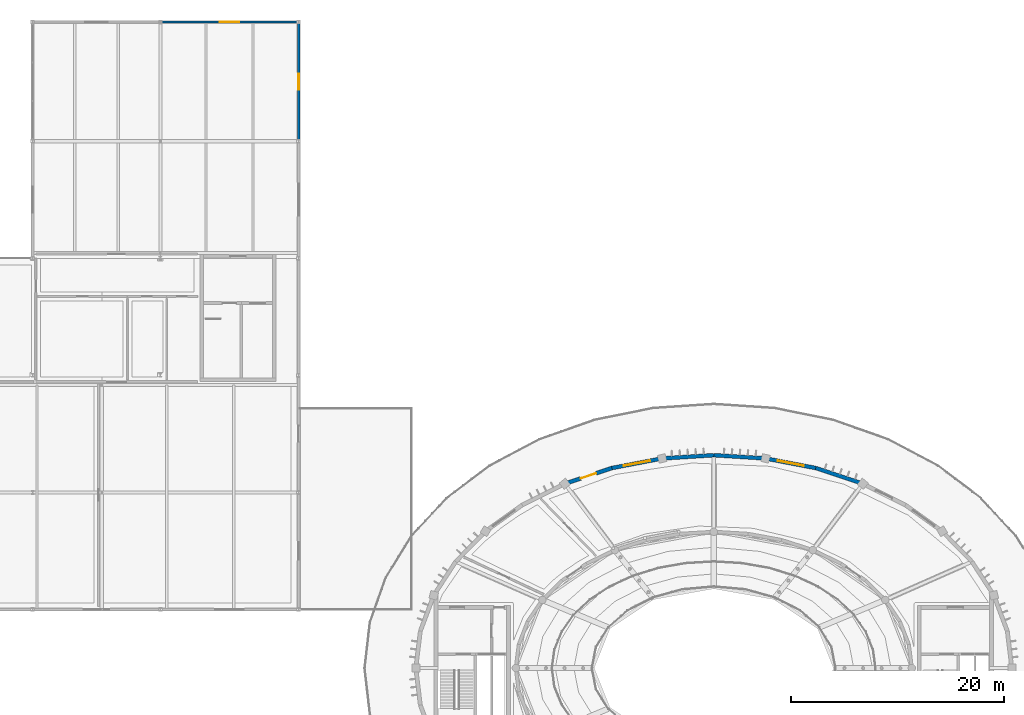
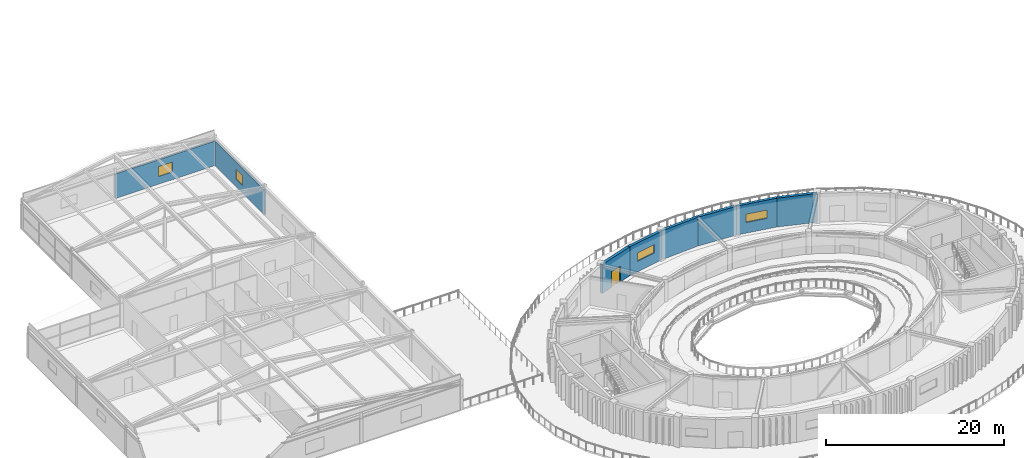
# One storey, part 48 of 63: 8 walls, 4 windows, 1 door, 5 openings.
"""IFC4 building model written with IfcOpenShell, lengths in metres."""

from ifc_helpers import new_model, si_unit, direction, frame, frame_2d, origin, place, context, subcontext, project, spatial, rectangle, extrude, material, layer, layer_set, type_object, element, fill, save


model = new_model("IFC4")

# Units and contexts
model_context = context("Model", 3, precision=1e-05, world=origin(), true_north=direction((0.0, 1.0)))
body_context = subcontext(model_context, "Body", "Model", "MODEL_VIEW")
ifc_project = project(units=[si_unit("LENGTHUNIT", "METRE"), si_unit("AREAUNIT", "SQUARE_METRE"), si_unit("VOLUMEUNIT", "CUBIC_METRE"), si_unit("PLANEANGLEUNIT", "RADIAN"), si_unit("MASSUNIT", "GRAM", prefix="KILO")], contexts=[model_context])

# Site, building, storey
site_placement = place(None, origin())
site = spatial("IfcSite", under=ifc_project, at=site_placement, CompositionType="ELEMENT")
building_placement = place(site_placement, origin())
building = spatial("IfcBuilding", under=site, at=building_placement, Name="Tarnveldt Headland Concert Hall", CompositionType="ELEMENT")
storey_placement = place(building_placement, frame((0.0, 0.0, 14.39990234375)))
storey = spatial("IfcBuildingStorey", under=building, at=storey_placement, Name="L03", CompositionType="ELEMENT", Elevation=14.39990234375)

# Wall
ifc_material_1 = material(Name="Concrete C40/50", Category="concrete")
ifc_layer_1 = layer(ifc_material_1, 0.360107421875, Name="Concrete C40/50", Category="concrete")
ifc_layer_set_1 = layer_set([ifc_layer_1], Name="Concrete C40/50")
wall_type_1 = type_object("IfcWallType", Name="WL-CR360", PredefinedType="SHEAR", material=ifc_layer_set_1)
wall_1_placement = place(storey_placement, frame((97.5, 71.820556640625, 0.0), z_axis=(0.0, 0.0, 1.0), x_axis=(-0.948751350732, 0.316023534699, 0.0)))
element("IfcWall", 1, at=wall_1_placement, inside=storey, type_object=wall_type_1, Name="Symphony drum shear wall L03-7", PredefinedType="SHEAR", context=body_context, shape_type="SweptSolid", body=[
    extrude(rectangle(XDim=4.662353515625, YDim=0.360107421875, at=frame_2d((2.3310546875, 0.0))), origin(), (0.0, 0.0, 1.0), 3.960205078125),
])

# Wall, opening, window
wall_2_placement = place(storey_placement, frame((93.07666015625, 73.2939453125, 0.0), z_axis=(0.0, 0.0, 1.0), x_axis=(-0.982172578083, 0.187981453503, 0.0)))
wall_2 = element("IfcWall", 2, at=wall_2_placement, inside=storey, type_object=wall_type_1, Name="Symphony drum shear wall L03-8", PredefinedType="SHEAR", context=body_context, shape_type="SweptSolid", body=[
    extrude(rectangle(XDim=4.80029296875, YDim=0.360107421875, at=frame_2d((2.400146484375, 0.0))), origin(), (0.0, 0.0, 1.0), 3.960205078125),
])
opening_1_placement = place(wall_2_placement, frame((1.14990234375, 0.0, 1.449951171875)))
opening_1 = element("IfcOpeningElement", 3, at=opening_1_placement, cuts=wall_2, Name="Opening W-D002", PredefinedType="OPENING", context=body_context, shape_type="SweptSolid", body=[
    extrude(rectangle(XDim=2.5, YDim=1.14990234375, at=frame_2d((1.25, 0.574951171875))), frame((0.0, 0.18994140625, 0.0), z_axis=(0.0, -1.0, 0.0), x_axis=(1.0, 0.0, 0.0)), (0.0, 0.0, 1.0), 0.380126953125),
])
ifc_material_2 = material(Name="Acoustic laminated low-iron double glazing", Category="glass")
window_type_1 = type_object("IfcWindowType", Name="WN-21", PartitioningType="SINGLE_PANEL", PredefinedType="WINDOW", material=ifc_material_2)
window_1_placement = place(opening_1_placement, origin())
window_1 = element("IfcWindow", 4, at=window_1_placement, inside=storey, type_object=window_type_1, Name="Drum acoustic gallery window L03-8", OverallHeight=1.14990234375, OverallWidth=2.5, PartitioningType="SINGLE_PANEL", PredefinedType="WINDOW", context=body_context, shape_type="SweptSolid", body=[
    extrude(rectangle(XDim=2.5, YDim=1.14990234375, at=frame_2d((1.25, 0.574951171875))), frame((0.0, 0.030029296875, 0.0), z_axis=(0.0, -1.0, 0.0), x_axis=(1.0, 0.0, 0.0)), (0.0, 0.0, 1.0), 0.06005859375),
])
fill(opening_1, window_1)

# Walls
for number, where, z_axis, x_axis, name in (
    (5, (88.362060546875, 74.1962890625, 0.0), (0.0, 0.0, 1.0), (-0.998054722924, 0.06234396562, 0.0), "Symphony drum shear wall L03-9"),
    (6, (83.5, 74.5, 0.0), (0.0, 0.0, 1.0), (-0.998054722924, -0.06234396562, 0.0), "Symphony drum shear wall L03-10"),
):
    element("IfcWall", number, at=place(storey_placement, frame(where, z_axis=z_axis, x_axis=x_axis)), inside=storey, type_object=wall_type_1, Name=name, PredefinedType="SHEAR", context=body_context, shape_type="SweptSolid", body=[
        extrude(rectangle(XDim=4.87158203125, YDim=0.360107421875, at=frame_2d((2.435791015625, 0.0))), origin(), (0.0, 0.0, 1.0), 3.960205078125),
    ])

# Wall, opening, window
wall_3_placement = place(storey_placement, frame((78.637939453125, 74.1962890625, 0.0), z_axis=(0.0, 0.0, 1.0), x_axis=(-0.982172578083, -0.187981453503, 0.0)))
wall_3 = element("IfcWall", 7, at=wall_3_placement, inside=storey, type_object=wall_type_1, Name="Symphony drum shear wall L03-11", PredefinedType="SHEAR", context=body_context, shape_type="SweptSolid", body=[
    extrude(rectangle(XDim=4.80029296875, YDim=0.360107421875, at=frame_2d((2.400146484375, 0.0))), origin(), (0.0, 0.0, 1.0), 3.960205078125),
])
opening_2_placement = place(wall_3_placement, frame((1.14990234375, 0.0, 1.449951171875)))
opening_2 = element("IfcOpeningElement", 8, at=opening_2_placement, cuts=wall_3, Name="Opening W-D003", PredefinedType="OPENING", context=body_context, shape_type="SweptSolid", body=[
    extrude(rectangle(XDim=2.5, YDim=1.14990234375, at=frame_2d((1.25, 0.574951171875))), frame((0.0, 0.18994140625, 0.0), z_axis=(0.0, -1.0, 0.0), x_axis=(1.0, 0.0, 0.0)), (0.0, 0.0, 1.0), 0.380126953125),
])
window_2_placement = place(opening_2_placement, origin())
window_2 = element("IfcWindow", 9, at=window_2_placement, inside=storey, type_object=window_type_1, Name="Drum acoustic gallery window L03-11", OverallHeight=1.14990234375, OverallWidth=2.5, PartitioningType="SINGLE_PANEL", PredefinedType="WINDOW", context=body_context, shape_type="SweptSolid", body=[
    extrude(rectangle(XDim=2.5, YDim=1.14990234375, at=frame_2d((1.25, 0.574951171875))), frame((0.0, 0.030029296875, 0.0), z_axis=(0.0, -1.0, 0.0), x_axis=(1.0, 0.0, 0.0)), (0.0, 0.0, 1.0), 0.06005859375),
])
fill(opening_2, window_2)

# Wall, opening, door
wall_4_placement = place(storey_placement, frame((73.92333984375, 73.2939453125, 0.0), z_axis=(0.0, 0.0, 1.0), x_axis=(-0.948751350732, -0.316023534699, 0.0)))
wall_4 = element("IfcWall", 10, at=wall_4_placement, inside=storey, type_object=wall_type_1, Name="Symphony drum shear wall L03-12", PredefinedType="SHEAR", context=body_context, shape_type="SweptSolid", body=[
    extrude(rectangle(XDim=4.662353515625, YDim=0.360107421875, at=frame_2d((2.3310546875, 0.0))), origin(), (0.0, 0.0, 1.0), 3.960205078125),
])
opening_3_placement = place(wall_4_placement, frame((1.581298828125, 0.0, 0.0)))
opening_3 = element("IfcOpeningElement", 11, at=opening_3_placement, cuts=wall_4, Name="Opening TD-L03-2", PredefinedType="OPENING", context=body_context, shape_type="SweptSolid", body=[
    extrude(rectangle(XDim=1.5, YDim=2.179931640625, at=frame_2d((0.75, 1.08984375))), frame((0.0, 0.18994140625, 0.0), z_axis=(0.0, -1.0, 0.0), x_axis=(1.0, 0.0, 0.0)), (0.0, 0.0, 1.0), 0.380126953125),
])
ifc_material_3 = material(Name="Marine-anodised aluminium EN AW-6063-T6", Category="aluminium")
door_type = type_object("IfcDoorType", Name="DR-TR150", OperationType="NOTDEFINED", PredefinedType="DOOR", material=ifc_material_3)
door_placement = place(opening_3_placement, origin())
door = element("IfcDoor", 12, at=door_placement, inside=storey, type_object=door_type, Name="Drum terrace access door 2", OperationType="SINGLE_SWING_RIGHT", OverallHeight=2.179931640625, OverallWidth=1.5, PredefinedType="DOOR", context=body_context, shape_type="SweptSolid", body=[
    extrude(rectangle(XDim=1.5, YDim=2.179931640625, at=frame_2d((0.75, 1.08984375))), frame((0.0, 0.02490234375, 0.0), z_axis=(0.0, -1.0, 0.0), x_axis=(1.0, 0.0, 0.0)), (0.0, 0.0, 1.0), 0.050048828125),
])
fill(opening_3, door)

# Wall, opening, window
ifc_material_4 = material(Name="Coral-toned precast concrete C40/50", Category="concrete")
ifc_layer_2 = layer(ifc_material_4, 0.219970703125, Name="Coral-toned precast concrete C40/50", Category="concrete")
ifc_layer_set_2 = layer_set([ifc_layer_2], Name="Coral-toned precast concrete C40/50")
wall_type_2 = type_object("IfcWallType", Name="WL-EX220", PredefinedType="SOLIDWALL", material=ifc_layer_set_2)
wall_5_placement = place(storey_placement, frame((44.5, 115.179931640625, 0.0), z_axis=(0.0, 0.0, 1.0), x_axis=(0.0, -1.0, 0.0)))
wall_5 = element("IfcWall", 13, at=wall_5_placement, inside=storey, type_object=wall_type_2, Name="External precast wall L03-319", PredefinedType="SOLIDWALL", context=body_context, shape_type="SweptSolid", body=[
    extrude(rectangle(XDim=11.159912109375, YDim=0.219970703125, at=frame_2d((5.580078125, 0.0))), origin(), (0.0, 0.0, 1.0), 3.35009765625),
])
opening_4_placement = place(wall_5_placement, frame((4.830078125, 0.0, 1.050048828125)))
opening_4 = element("IfcOpeningElement", 14, at=opening_4_placement, cuts=wall_5, Name="Opening W-R150", PredefinedType="OPENING", context=body_context, shape_type="SweptSolid", body=[
    extrude(rectangle(XDim=1.5, YDim=1.35009765625, at=frame_2d((0.75, 0.675048828125))), frame((0.0, 0.119873046875, 0.0), z_axis=(0.0, -1.0, 0.0), x_axis=(1.0, 0.0, 0.0)), (0.0, 0.0, 1.0), 0.239990234375),
])
window_type_2 = type_object("IfcWindowType", Name="WN-17", PartitioningType="SINGLE_PANEL", PredefinedType="WINDOW", material=ifc_material_2)
window_3_placement = place(opening_4_placement, origin())
window_3 = element("IfcWindow", 15, at=window_3_placement, inside=storey, type_object=window_type_2, Name="Rehearsal wing acoustic window L03-E5", OverallHeight=1.35009765625, OverallWidth=1.5, PartitioningType="SINGLE_PANEL", PredefinedType="WINDOW", context=body_context, shape_type="SweptSolid", body=[
    extrude(rectangle(XDim=1.5, YDim=1.35009765625, at=frame_2d((0.75, 0.675048828125))), frame((0.0, 0.030029296875, 0.0), z_axis=(0.0, -1.0, 0.0), x_axis=(1.0, 0.0, 0.0)), (0.0, 0.0, 1.0), 0.06005859375),
])
fill(opening_4, window_3)

wall_6_placement = place(storey_placement, frame((31.52001953125, 115.199951171875, 0.0), z_axis=(0.0, 0.0, 1.0), x_axis=(1.0, 0.0, 0.0)))
wall_6 = element("IfcWall", 16, at=wall_6_placement, inside=storey, type_object=wall_type_2, Name="External precast wall L03-320", PredefinedType="SOLIDWALL", context=body_context, shape_type="SweptSolid", body=[
    extrude(rectangle(XDim=12.9599609375, YDim=0.219970703125, at=frame_2d((6.47998046875, 0.0))), origin(), (0.0, 0.0, 1.0), 3.35009765625),
])
opening_5_placement = place(wall_6_placement, frame((5.580078125, 0.0, 1.050048828125)))
opening_5 = element("IfcOpeningElement", 17, at=opening_5_placement, cuts=wall_6, Name="Opening W-R151", PredefinedType="OPENING", context=body_context, shape_type="SweptSolid", body=[
    extrude(rectangle(XDim=1.800048828125, YDim=1.35009765625, at=frame_2d((0.89990234375, 0.675048828125))), frame((0.0, 0.119873046875, 0.0), z_axis=(0.0, -1.0, 0.0), x_axis=(1.0, 0.0, 0.0)), (0.0, 0.0, 1.0), 0.239990234375),
])
window_type_3 = type_object("IfcWindowType", Name="WN-18", PartitioningType="SINGLE_PANEL", PredefinedType="WINDOW", material=ifc_material_2)
window_4_placement = place(opening_5_placement, origin())
window_4 = element("IfcWindow", 18, at=window_4_placement, inside=storey, type_object=window_type_3, Name="Rehearsal wing acoustic window L03-N1", OverallHeight=1.35009765625, OverallWidth=1.800048828125, PartitioningType="SINGLE_PANEL", PredefinedType="WINDOW", context=body_context, shape_type="SweptSolid", body=[
    extrude(rectangle(XDim=1.800048828125, YDim=1.35009765625, at=frame_2d((0.89990234375, 0.675048828125))), frame((0.0, 0.030029296875, 0.0), z_axis=(0.0, -1.0, 0.0), x_axis=(1.0, 0.0, 0.0)), (0.0, 0.0, 1.0), 0.06005859375),
])
fill(opening_5, window_4)

save(model, "model.ifc")
